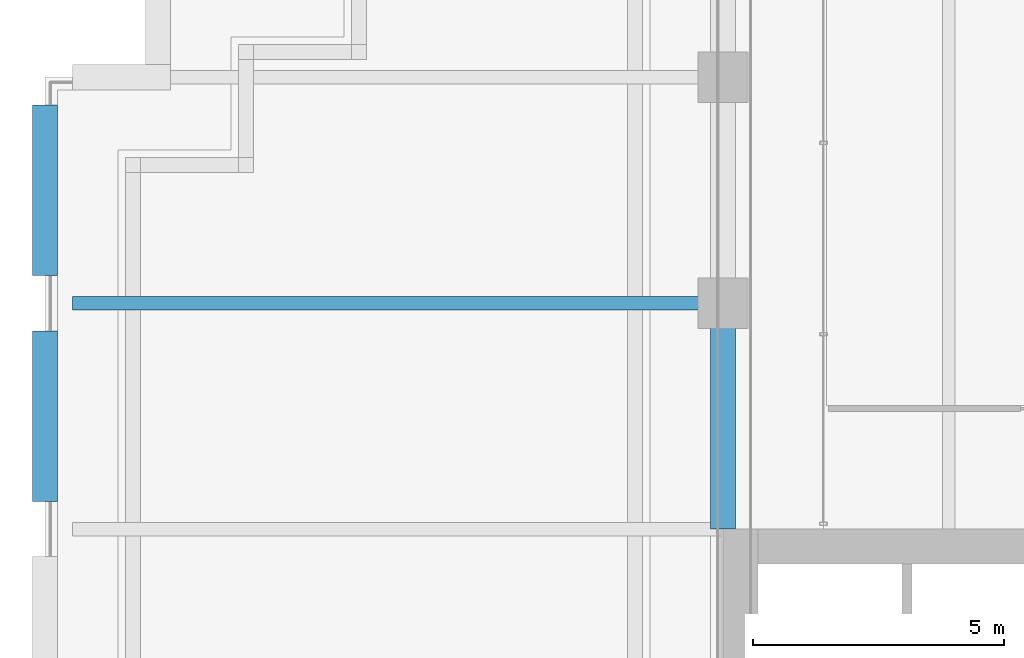
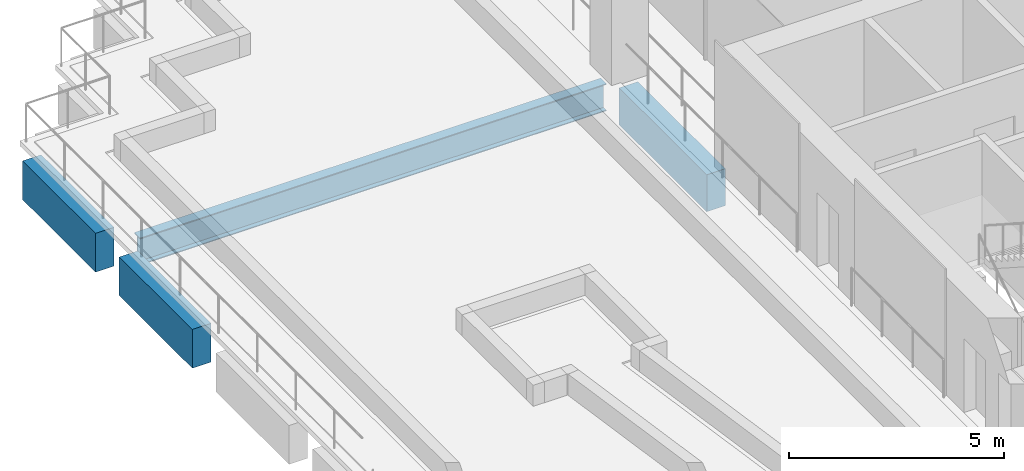
# One storey, part 20 of 52: 4 beams.
"""IFC4 building model written with IfcOpenShell, lengths in metres."""

from ifc_helpers import new_model, si_unit, direction, frame, origin, origin_2d, place, context, subcontext, project, spatial, rectangle, i_section, extrude, material, material_profile, profile_set, type_object, element, save


model = new_model("IFC4")

# Units and contexts
model_context = context("Model", 3, precision=1e-05, world=origin(), true_north=direction((0.0, 1.0)))
body_context = subcontext(model_context, "Body", "Model", "MODEL_VIEW")
ifc_project = project(units=[si_unit("LENGTHUNIT", "METRE"), si_unit("AREAUNIT", "SQUARE_METRE"), si_unit("VOLUMEUNIT", "CUBIC_METRE"), si_unit("PLANEANGLEUNIT", "RADIAN"), si_unit("MASSUNIT", "GRAM", prefix="KILO")], contexts=[model_context])

# Site, building, storey
site_placement = place(None, origin())
site = spatial("IfcSite", under=ifc_project, at=site_placement, CompositionType="ELEMENT")
building_placement = place(site_placement, origin())
building = spatial("IfcBuilding", under=site, at=building_placement, Name="Altepetl Exchange Towers", CompositionType="ELEMENT")
storey_placement = place(building_placement, frame((0.0, 0.0, 92.0)))
storey = spatial("IfcBuildingStorey", under=building, at=storey_placement, Name="L22", CompositionType="ELEMENT", Elevation=92.0)

# Beams
ifc_material_1 = material(Name="Steel S355", Category="steel")
ifc_material_profile_1 = material_profile(ifc_material_1, i_section(OverallWidth=0.26806640625, OverallDepth=0.77392578125, WebThickness=0.015380859375, FlangeThickness=0.025390625, at=origin_2d()), Name="W30X132")
ifc_profile_set_1 = profile_set([ifc_material_profile_1], Name="Steel S355")
beam_type_1 = type_object("IfcBeamType", Name="Floor beam W30X132", PredefinedType="BEAM", material=ifc_profile_set_1)
beam_1_placement = place(storey_placement, frame((27.550048828125, 63.0, -0.537109375), z_axis=(1.0, 0.0, 0.0), x_axis=(0.0, 1.0, 0.0)))
element("IfcBeam", 1, at=beam_1_placement, inside=storey, type_object=beam_type_1, Name="bm:A:L22:t004", PredefinedType="BEAM", context=body_context, shape_type="SweptSolid", body=[
    extrude(i_section(OverallWidth=0.26806640625, OverallDepth=0.77392578125, WebThickness=0.015380859375, FlangeThickness=0.025390625, at=origin_2d()), origin(), (0.0, 0.0, 1.0), 12.52490234375),
])
ifc_material_2 = material(Name="Concrete C50/60 precast with tezontle facing", Category="concrete")
ifc_material_profile_2 = material_profile(ifc_material_2, rectangle(XDim=0.5, YDim=1.050048828125, at=origin_2d()), Name="500 x 1050")
ifc_profile_set_2 = profile_set([ifc_material_profile_2], Name="Concrete C50/60 precast with tezontle facing")
beam_type_2 = type_object("IfcBeamType", Name="Spandrel beam 500x1050 tezontle", PredefinedType="SPANDREL", material=ifc_profile_set_2)
beam_2_placement = place(storey_placement, frame((40.5, 62.574951171875, -0.675048828125), z_axis=(0.0, -1.0, 0.0), x_axis=(1.0, 0.0, 0.0)))
element("IfcBeam", 2, at=beam_2_placement, inside=storey, type_object=beam_type_2, Name="sp:A:L22:032", PredefinedType="SPANDREL", context=body_context, shape_type="SweptSolid", body=[
    extrude(rectangle(XDim=0.5, YDim=1.050048828125, at=origin_2d()), origin(), (0.0, 0.0, 1.0), 4.074951171875),
])
ifc_material_profile_3 = material_profile(ifc_material_2, rectangle(XDim=0.5, YDim=1.10009765625, at=origin_2d()), Name="500 x 1100")
ifc_profile_set_3 = profile_set([ifc_material_profile_3], Name="Concrete C50/60 precast with tezontle facing")
beam_type_3 = type_object("IfcBeamType", Name="Spandrel beam 500x1100 tezontle", PredefinedType="SPANDREL", material=ifc_profile_set_3)
for number, where, z_axis, x_axis, name in (
    (3, (27.0, 66.949951171875, -0.699951171875), (0.0, -1.0, 0.0), (1.0, 0.0, 0.0), "sp:A:L22:t006"),
    (4, (27.0, 62.449951171875, -0.699951171875), (0.0, -1.0, 0.0), (1.0, 0.0, 0.0), "sp:A:L22:t007"),
):
    element("IfcBeam", number, at=place(storey_placement, frame(where, z_axis=z_axis, x_axis=x_axis)), inside=storey, type_object=beam_type_3, Name=name, PredefinedType="SPANDREL", context=body_context, shape_type="SweptSolid", body=[
        extrude(rectangle(XDim=0.5, YDim=1.10009765625, at=origin_2d()), origin(), (0.0, 0.0, 1.0), 3.39990234375),
    ])

save(model, "model.ifc")
